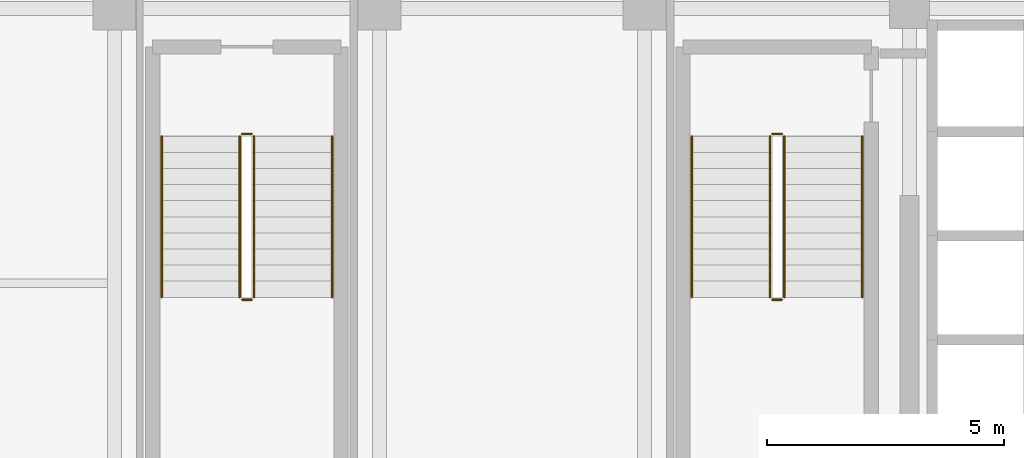
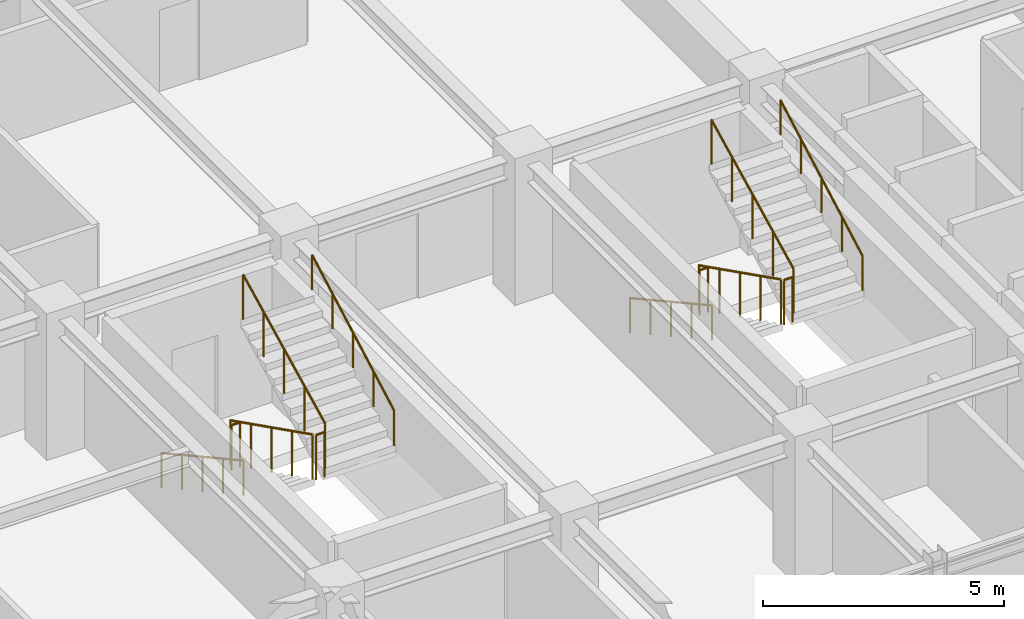
# One storey, part 28 of 32: 12 railings.
"""IFC4 building model written with IfcOpenShell, lengths in metres."""

from ifc_helpers import new_model, si_unit, direction, frame, origin, origin_2d, place, context, subcontext, project, spatial, circle, extrude, material, type_object, element, save


model = new_model("IFC4")

# Units and contexts
model_context = context("Model", 3, precision=1e-05, world=origin(), true_north=direction((0.0, 1.0)))
body_context = subcontext(model_context, "Body", "Model", "MODEL_VIEW")
ifc_project = project(units=[si_unit("LENGTHUNIT", "METRE"), si_unit("AREAUNIT", "SQUARE_METRE"), si_unit("VOLUMEUNIT", "CUBIC_METRE"), si_unit("PLANEANGLEUNIT", "RADIAN"), si_unit("MASSUNIT", "GRAM", prefix="KILO")], contexts=[model_context])

# Site, building, storey
site_placement = place(None, origin())
site = spatial("IfcSite", under=ifc_project, at=site_placement, CompositionType="ELEMENT")
building_placement = place(site_placement, origin())
building = spatial("IfcBuilding", under=site, at=building_placement, Name="Nahalor Promenade Grand Hotel", CompositionType="ELEMENT")
storey_placement = place(building_placement, frame((0.0, 0.0, 266.300048828125)))
storey = spatial("IfcBuildingStorey", under=building, at=storey_placement, Name="L68", CompositionType="ELEMENT", Elevation=266.300048828125)

# Railings
ifc_material = material(Name="Steel S355JR", Category="steel")
railing_type_1 = type_object("IfcRailingType", Name="Steel Stair Guardrail 1150 mm", PredefinedType="GUARDRAIL", material=ifc_material)
railing_1_placement = place(storey_placement, frame((5.449951171875, -8.10009765625, 0.17041015625)))
element("IfcRailing", 1, at=railing_1_placement, inside=storey, type_object=railing_type_1, Name="L68 ST2 stair guard 1", PredefinedType="GUARDRAIL", context=body_context, shape_type="SweptSolid", body=[
    extrude(circle(Radius=0.024048, at=origin_2d()), frame((0.0, 0.0, 1.1259765625), z_axis=(0.0, -0.89393879905, 0.448189048899), x_axis=(1.0, 0.0, 0.0)), (0.0, 0.0, 1.0), 3.80322265625),
    extrude(circle(Radius=0.020996, at=origin_2d()), origin(), (0.0, 0.0, 1.0), 1.099853515625),
    extrude(circle(Radius=0.020996, at=origin_2d()), frame((0.0, -0.85009765625, 0.42626953125)), (0.0, 0.0, 1.0), 1.099853515625),
    extrude(circle(Radius=0.020996, at=origin_2d()), frame((0.0, -1.699951171875, 0.852294921875)), (0.0, 0.0, 1.0), 1.099853515625),
    extrude(circle(Radius=0.020996, at=origin_2d()), frame((0.0, -2.5498046875, 1.2783203125)), (0.0, 0.0, 1.0), 1.099853515625),
    extrude(circle(Radius=0.020996, at=origin_2d()), frame((0.0, -3.39990234375, 1.70458984375)), (0.0, 0.0, 1.0), 1.099853515625),
])
railing_2_placement = place(storey_placement, frame((5.5, -11.550048828125, 1.875)))
element("IfcRailing", 2, at=railing_2_placement, inside=storey, type_object=railing_type_1, Name="L68 ST2 stair guard 2", PredefinedType="GUARDRAIL", context=body_context, shape_type="SweptSolid", body=[
    extrude(circle(Radius=0.024048, at=origin_2d()), frame((0.0, 0.0, 1.1259765625), z_axis=(1.0, 0.0, 0.0), x_axis=(0.0, 1.0, 0.0)), (0.0, 0.0, 1.0), 0.199951171875),
    extrude(circle(Radius=0.020996, at=origin_2d()), origin(), (0.0, 0.0, 1.0), 1.099853515625),
    extrude(circle(Radius=0.020996, at=origin_2d()), frame((0.199951171875, 0.0, 0.0)), (0.0, 0.0, 1.0), 1.099853515625),
])
railing_3_placement = place(storey_placement, frame((5.75, -11.5, 2.04541015625)))
element("IfcRailing", 3, at=railing_3_placement, inside=storey, type_object=railing_type_1, Name="L68 ST2 stair guard 3", PredefinedType="GUARDRAIL", context=body_context, shape_type="SweptSolid", body=[
    extrude(circle(Radius=0.024048, at=origin_2d()), frame((0.0, 0.0, 1.1259765625), z_axis=(0.0, 0.89393879905, 0.448189048899), x_axis=(-1.0, 0.0, 0.0)), (0.0, 0.0, 1.0), 3.80322265625),
    extrude(circle(Radius=0.020996, at=origin_2d()), origin(), (0.0, 0.0, 1.0), 1.099853515625),
    extrude(circle(Radius=0.020996, at=origin_2d()), frame((0.0, 0.85009765625, 0.42626953125)), (0.0, 0.0, 1.0), 1.099853515625),
    extrude(circle(Radius=0.020996, at=origin_2d()), frame((0.0, 1.699951171875, 0.852294921875)), (0.0, 0.0, 1.0), 1.099853515625),
    extrude(circle(Radius=0.020996, at=origin_2d()), frame((0.0, 2.5498046875, 1.2783203125)), (0.0, 0.0, 1.0), 1.099853515625),
    extrude(circle(Radius=0.020996, at=origin_2d()), frame((0.0, 3.39990234375, 1.70458984375)), (0.0, 0.0, 1.0), 1.099853515625),
])
railing_4_placement = place(storey_placement, frame((5.5, -8.050048828125, 0.0)))
element("IfcRailing", 4, at=railing_4_placement, inside=storey, type_object=railing_type_1, Name="L68 ST2 stair guard 4", PredefinedType="GUARDRAIL", context=body_context, shape_type="SweptSolid", body=[
    extrude(circle(Radius=0.024048, at=origin_2d()), frame((0.0, 0.0, 1.1259765625), z_axis=(1.0, 0.0, 0.0), x_axis=(0.0, 1.0, 0.0)), (0.0, 0.0, 1.0), 0.199951171875),
    extrude(circle(Radius=0.020996, at=origin_2d()), origin(), (0.0, 0.0, 1.0), 1.099853515625),
    extrude(circle(Radius=0.020996, at=origin_2d()), frame((0.199951171875, 0.0, 0.0)), (0.0, 0.0, 1.0), 1.099853515625),
])
railing_5_placement = place(storey_placement, frame((-5.75, -8.10009765625, 0.17041015625)))
element("IfcRailing", 5, at=railing_5_placement, inside=storey, type_object=railing_type_1, Name="L68 ST3 stair guard 1", PredefinedType="GUARDRAIL", context=body_context, shape_type="SweptSolid", body=[
    extrude(circle(Radius=0.024048, at=origin_2d()), frame((0.0, 0.0, 1.1259765625), z_axis=(0.0, -0.89393879905, 0.448189048899), x_axis=(1.0, 0.0, 0.0)), (0.0, 0.0, 1.0), 3.80322265625),
    extrude(circle(Radius=0.020996, at=origin_2d()), origin(), (0.0, 0.0, 1.0), 1.099853515625),
    extrude(circle(Radius=0.020996, at=origin_2d()), frame((0.0, -0.85009765625, 0.42626953125)), (0.0, 0.0, 1.0), 1.099853515625),
    extrude(circle(Radius=0.020996, at=origin_2d()), frame((0.0, -1.699951171875, 0.852294921875)), (0.0, 0.0, 1.0), 1.099853515625),
    extrude(circle(Radius=0.020996, at=origin_2d()), frame((0.0, -2.5498046875, 1.2783203125)), (0.0, 0.0, 1.0), 1.099853515625),
    extrude(circle(Radius=0.020996, at=origin_2d()), frame((0.0, -3.39990234375, 1.70458984375)), (0.0, 0.0, 1.0), 1.099853515625),
])
railing_6_placement = place(storey_placement, frame((-5.699951171875, -11.550048828125, 1.875)))
element("IfcRailing", 6, at=railing_6_placement, inside=storey, type_object=railing_type_1, Name="L68 ST3 stair guard 2", PredefinedType="GUARDRAIL", context=body_context, shape_type="SweptSolid", body=[
    extrude(circle(Radius=0.024048, at=origin_2d()), frame((0.0, 0.0, 1.1259765625), z_axis=(1.0, 0.0, 0.0), x_axis=(0.0, 1.0, 0.0)), (0.0, 0.0, 1.0), 0.199951171875),
    extrude(circle(Radius=0.020996, at=origin_2d()), origin(), (0.0, 0.0, 1.0), 1.099853515625),
    extrude(circle(Radius=0.020996, at=origin_2d()), frame((0.199951171875, 0.0, 0.0)), (0.0, 0.0, 1.0), 1.099853515625),
])
railing_7_placement = place(storey_placement, frame((-5.449951171875, -11.5, 2.04541015625)))
element("IfcRailing", 7, at=railing_7_placement, inside=storey, type_object=railing_type_1, Name="L68 ST3 stair guard 3", PredefinedType="GUARDRAIL", context=body_context, shape_type="SweptSolid", body=[
    extrude(circle(Radius=0.024048, at=origin_2d()), frame((0.0, 0.0, 1.1259765625), z_axis=(0.0, 0.89393879905, 0.448189048899), x_axis=(-1.0, 0.0, 0.0)), (0.0, 0.0, 1.0), 3.80322265625),
    extrude(circle(Radius=0.020996, at=origin_2d()), origin(), (0.0, 0.0, 1.0), 1.099853515625),
    extrude(circle(Radius=0.020996, at=origin_2d()), frame((0.0, 0.85009765625, 0.42626953125)), (0.0, 0.0, 1.0), 1.099853515625),
    extrude(circle(Radius=0.020996, at=origin_2d()), frame((0.0, 1.699951171875, 0.852294921875)), (0.0, 0.0, 1.0), 1.099853515625),
    extrude(circle(Radius=0.020996, at=origin_2d()), frame((0.0, 2.5498046875, 1.2783203125)), (0.0, 0.0, 1.0), 1.099853515625),
    extrude(circle(Radius=0.020996, at=origin_2d()), frame((0.0, 3.39990234375, 1.70458984375)), (0.0, 0.0, 1.0), 1.099853515625),
])
railing_8_placement = place(storey_placement, frame((-5.699951171875, -8.050048828125, 0.0)))
element("IfcRailing", 8, at=railing_8_placement, inside=storey, type_object=railing_type_1, Name="L68 ST3 stair guard 4", PredefinedType="GUARDRAIL", context=body_context, shape_type="SweptSolid", body=[
    extrude(circle(Radius=0.024048, at=origin_2d()), frame((0.0, 0.0, 1.1259765625), z_axis=(1.0, 0.0, 0.0), x_axis=(0.0, 1.0, 0.0)), (0.0, 0.0, 1.0), 0.199951171875),
    extrude(circle(Radius=0.020996, at=origin_2d()), origin(), (0.0, 0.0, 1.0), 1.099853515625),
    extrude(circle(Radius=0.020996, at=origin_2d()), frame((0.199951171875, 0.0, 0.0)), (0.0, 0.0, 1.0), 1.099853515625),
])
railing_type_2 = type_object("IfcRailingType", Name="Steel Stair Handrail 900 mm", PredefinedType="HANDRAIL", material=ifc_material)
railing_9_placement = place(storey_placement, frame((3.800048828125, -8.10009765625, 0.17041015625)))
element("IfcRailing", 9, at=railing_9_placement, inside=storey, type_object=railing_type_2, Name="L68 ST2 stair handrail 1", PredefinedType="HANDRAIL", context=body_context, shape_type="SweptSolid", body=[
    extrude(circle(Radius=0.024048, at=origin_2d()), frame((0.0, 0.0, 0.8759765625), z_axis=(0.0, -0.875665712831, 0.482917756322), x_axis=(1.0, 0.0, 0.0)), (0.0, 0.0, 1.0), 3.882568359375),
    extrude(circle(Radius=0.020996, at=origin_2d()), origin(), (0.0, 0.0, 1.0), 0.849853515625),
    extrude(circle(Radius=0.020996, at=origin_2d()), frame((0.0, -0.85009765625, 0.46875)), (0.0, 0.0, 1.0), 0.849853515625),
    extrude(circle(Radius=0.020996, at=origin_2d()), frame((0.0, -1.699951171875, 0.9375)), (0.0, 0.0, 1.0), 0.849853515625),
    extrude(circle(Radius=0.020996, at=origin_2d()), frame((0.0, -2.5498046875, 1.40625)), (0.0, 0.0, 1.0), 0.849853515625),
    extrude(circle(Radius=0.020996, at=origin_2d()), frame((0.0, -3.39990234375, 1.875)), (0.0, 0.0, 1.0), 0.849853515625),
])
railing_10_placement = place(storey_placement, frame((7.39990234375, -11.5, 2.04541015625)))
element("IfcRailing", 10, at=railing_10_placement, inside=storey, type_object=railing_type_2, Name="L68 ST2 stair handrail 2", PredefinedType="HANDRAIL", context=body_context, shape_type="SweptSolid", body=[
    extrude(circle(Radius=0.024048, at=origin_2d()), frame((0.0, 0.0, 0.8759765625), z_axis=(0.0, 0.875665712831, 0.482917756322), x_axis=(-1.0, 0.0, 0.0)), (0.0, 0.0, 1.0), 3.882568359375),
    extrude(circle(Radius=0.020996, at=origin_2d()), origin(), (0.0, 0.0, 1.0), 0.849853515625),
    extrude(circle(Radius=0.020996, at=origin_2d()), frame((0.0, 0.85009765625, 0.46875)), (0.0, 0.0, 1.0), 0.849853515625),
    extrude(circle(Radius=0.020996, at=origin_2d()), frame((0.0, 1.699951171875, 0.9375)), (0.0, 0.0, 1.0), 0.849853515625),
    extrude(circle(Radius=0.020996, at=origin_2d()), frame((0.0, 2.5498046875, 1.40625)), (0.0, 0.0, 1.0), 0.849853515625),
    extrude(circle(Radius=0.020996, at=origin_2d()), frame((0.0, 3.39990234375, 1.875)), (0.0, 0.0, 1.0), 0.849853515625),
])
railing_11_placement = place(storey_placement, frame((-7.39990234375, -8.10009765625, 0.17041015625)))
element("IfcRailing", 11, at=railing_11_placement, inside=storey, type_object=railing_type_2, Name="L68 ST3 stair handrail 1", PredefinedType="HANDRAIL", context=body_context, shape_type="SweptSolid", body=[
    extrude(circle(Radius=0.024048, at=origin_2d()), frame((0.0, 0.0, 0.8759765625), z_axis=(0.0, -0.875665712831, 0.482917756322), x_axis=(1.0, 0.0, 0.0)), (0.0, 0.0, 1.0), 3.882568359375),
    extrude(circle(Radius=0.020996, at=origin_2d()), origin(), (0.0, 0.0, 1.0), 0.849853515625),
    extrude(circle(Radius=0.020996, at=origin_2d()), frame((0.0, -0.85009765625, 0.46875)), (0.0, 0.0, 1.0), 0.849853515625),
    extrude(circle(Radius=0.020996, at=origin_2d()), frame((0.0, -1.699951171875, 0.9375)), (0.0, 0.0, 1.0), 0.849853515625),
    extrude(circle(Radius=0.020996, at=origin_2d()), frame((0.0, -2.5498046875, 1.40625)), (0.0, 0.0, 1.0), 0.849853515625),
    extrude(circle(Radius=0.020996, at=origin_2d()), frame((0.0, -3.39990234375, 1.875)), (0.0, 0.0, 1.0), 0.849853515625),
])
railing_12_placement = place(storey_placement, frame((-3.800048828125, -11.5, 2.04541015625)))
element("IfcRailing", 12, at=railing_12_placement, inside=storey, type_object=railing_type_2, Name="L68 ST3 stair handrail 2", PredefinedType="HANDRAIL", context=body_context, shape_type="SweptSolid", body=[
    extrude(circle(Radius=0.024048, at=origin_2d()), frame((0.0, 0.0, 0.8759765625), z_axis=(0.0, 0.875665712831, 0.482917756322), x_axis=(-1.0, 0.0, 0.0)), (0.0, 0.0, 1.0), 3.882568359375),
    extrude(circle(Radius=0.020996, at=origin_2d()), origin(), (0.0, 0.0, 1.0), 0.849853515625),
    extrude(circle(Radius=0.020996, at=origin_2d()), frame((0.0, 0.85009765625, 0.46875)), (0.0, 0.0, 1.0), 0.849853515625),
    extrude(circle(Radius=0.020996, at=origin_2d()), frame((0.0, 1.699951171875, 0.9375)), (0.0, 0.0, 1.0), 0.849853515625),
    extrude(circle(Radius=0.020996, at=origin_2d()), frame((0.0, 2.5498046875, 1.40625)), (0.0, 0.0, 1.0), 0.849853515625),
    extrude(circle(Radius=0.020996, at=origin_2d()), frame((0.0, 3.39990234375, 1.875)), (0.0, 0.0, 1.0), 0.849853515625),
])

save(model, "model.ifc")
